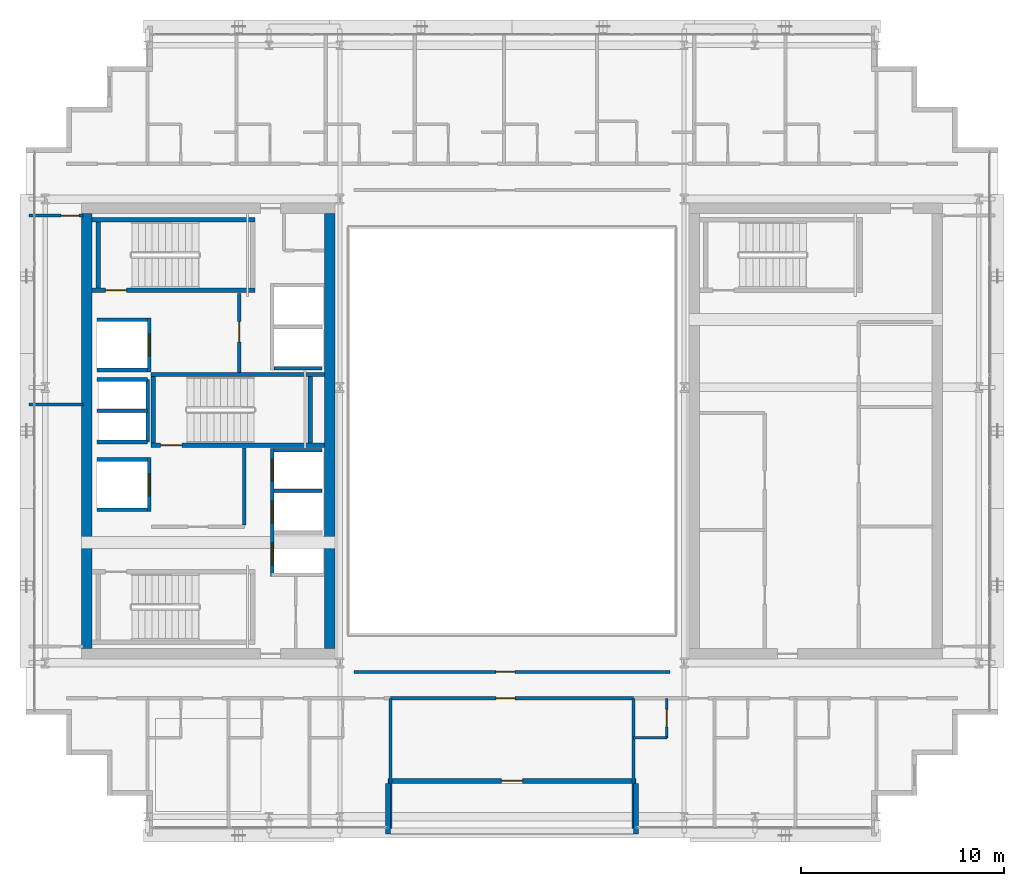
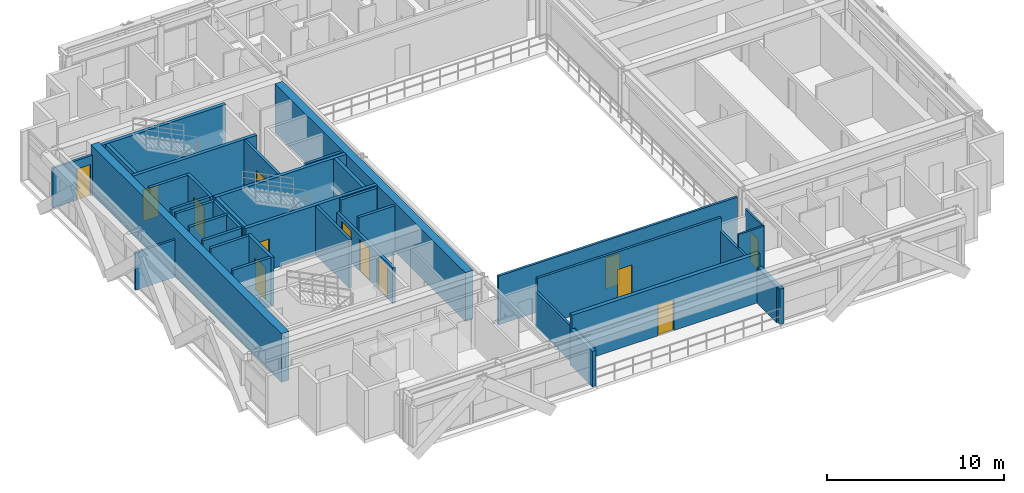
# One storey, part 24 of 32: 36 walls, 13 doors, 13 openings.
"""IFC4 building model written with IfcOpenShell, lengths in metres."""

from ifc_helpers import new_model, si_unit, direction, frame, frame_2d, origin, place, context, subcontext, project, spatial, rectangle, extrude, source, transform, mapped, material, layer, layer_set, type_object, element, fill, save


model = new_model("IFC4")

# Units and contexts
model_context = context("Model", 3, precision=1e-05, world=origin(), true_north=direction((0.0, 1.0)))
body_context = subcontext(model_context, "Body", "Model", "MODEL_VIEW")
ifc_project = project(units=[si_unit("LENGTHUNIT", "METRE"), si_unit("AREAUNIT", "SQUARE_METRE"), si_unit("VOLUMEUNIT", "CUBIC_METRE"), si_unit("PLANEANGLEUNIT", "RADIAN"), si_unit("MASSUNIT", "GRAM", prefix="KILO")], contexts=[model_context])

# Site, building, storey
site_placement = place(None, origin())
site = spatial("IfcSite", under=ifc_project, at=site_placement, CompositionType="ELEMENT")
building_placement = place(site_placement, origin())
building = spatial("IfcBuilding", under=site, at=building_placement, Name="Ocotamira Hotel", CompositionType="ELEMENT")
storey_placement = place(building_placement, frame((0.0, 0.0, 166.800048828125)))
storey = spatial("IfcBuildingStorey", under=building, at=storey_placement, Name="L41", CompositionType="ELEMENT", Elevation=166.800048828125)

# Walls
ifc_material_1 = material(Name="Concrete C50/60", Category="concrete")
ifc_layer_1 = layer(ifc_material_1, 0.5)
ifc_layer_set_1 = layer_set([ifc_layer_1], Name="Concrete C50/60")
wall_type_1 = type_object("IfcWallType", Name="WL-CORE-500", PredefinedType="SHEAR", material=ifc_layer_set_1)
for number, where, z_axis, x_axis, name in (
    (1, (11.0, 15.25, 0.0), (0.0, 0.0, 1.0), (0.0, 1.0, 0.0), "L41 Shear Core Wall WCORE-W"),
    (2, (23.0, 15.25, 0.0), (0.0, 0.0, 1.0), (0.0, 1.0, 0.0), "L41 Shear Core Wall WCORE-E"),
):
    element("IfcWall", number, at=place(storey_placement, frame(where, z_axis=z_axis, x_axis=x_axis)), inside=storey, type_object=wall_type_1, Name=name, PredefinedType="SHEAR", context=body_context, shape_type="SweptSolid", body=[
        extrude(rectangle(XDim=21.5, YDim=0.5, at=frame_2d((10.75, 0.0))), origin(), (0.0, 0.0, 1.0), 3.369873046875),
    ])

# Wall, opening, door
ifc_material_2 = material(Name="Precast concrete C45/55", Category="concrete")
ifc_layer_2 = layer(ifc_material_2, 0.25)
ifc_layer_set_2 = layer_set([ifc_layer_2], Name="Precast concrete C45/55")
wall_type_2 = type_object("IfcWallType", Name="WL-EXT-SER-250", PredefinedType="SOLIDWALL", material=ifc_layer_set_2)
wall_1_placement = place(storey_placement, frame((25.875, 8.72509765625, 0.0), z_axis=(0.0, 0.0, 1.0), x_axis=(1.0, 0.0, 0.0)))
wall_1 = element("IfcWall", 3, at=wall_1_placement, inside=storey, type_object=wall_type_2, Name="L41 Sky Terrace Back Wall 1", PredefinedType="SOLIDWALL", context=body_context, shape_type="SweptSolid", body=[
    extrude(rectangle(XDim=12.25, YDim=0.25, at=frame_2d((6.125, 0.0))), origin(), (0.0, 0.0, 1.0), 3.369873046875),
])
opening_1_placement = place(wall_1_placement, frame((5.60009765625, 0.0, 0.0)))
opening_1 = element("IfcOpeningElement", 4, at=opening_1_placement, cuts=wall_1, Name="Opening ED-3", PredefinedType="OPENING", context=body_context, shape_type="SweptSolid", body=[
    extrude(rectangle(XDim=1.050048828125, YDim=2.14990234375, at=frame_2d((0.52490234375, 1.074951171875))), frame((0.0, 0.135009765625, 0.0), z_axis=(0.0, -1.0, 0.0), x_axis=(1.0, 0.0, 0.0)), (0.0, 0.0, 1.0), 0.27001953125),
])
ifc_material_3 = material(Name="Thermally broken aluminium glazed door", Category="aluminium")
door_type_1 = type_object("IfcDoorType", Name="DR-TERR-1050", OperationType="NOTDEFINED", PredefinedType="DOOR", material=ifc_material_3)
shared_shape_1 = source(origin(), body_context, "Body", "SweptSolid", [
    extrude(rectangle(XDim=1.050048828125, YDim=2.14990234375, at=frame_2d((0.52490234375, 1.074951171875))), frame((0.0, 0.02490234375, 0.0), z_axis=(0.0, -1.0, 0.0), x_axis=(1.0, 0.0, 0.0)), (0.0, 0.0, 1.0), 0.050048828125),
])
door_1_placement = place(opening_1_placement, origin())
door_1 = element("IfcDoor", 5, at=door_1_placement, inside=storey, type_object=door_type_1, Name="L41 Sky Terrace Access Door 1 [ED-BAL-L41-1]", OperationType="SINGLE_SWING_LEFT", OverallHeight=2.14990234375, OverallWidth=1.050048828125, PredefinedType="DOOR", context=body_context, shape_type="MappedRepresentation", body=[
    mapped(shared_shape_1, transform((0.0, 0.0, 0.0), scale=1.0)),
])
fill(opening_1, door_1)

# Walls
for number, where, z_axis, x_axis, name in (
    (6, (25.875, 6.10009765625, 0.0), (0.0, 0.0, 1.0), (0.0, 1.0, 0.0), "L41 Sky Terrace Return Wall 1L"),
    (7, (38.125, 6.10009765625, 0.0), (0.0, 0.0, 1.0), (0.0, 1.0, 0.0), "L41 Sky Terrace Return Wall 1R"),
):
    element("IfcWall", number, at=place(storey_placement, frame(where, z_axis=z_axis, x_axis=x_axis)), inside=storey, type_object=wall_type_2, Name=name, PredefinedType="SOLIDWALL", context=body_context, shape_type="SweptSolid", body=[
        extrude(rectangle(XDim=2.5, YDim=0.25, at=frame_2d((1.25, 0.0))), origin(), (0.0, 0.0, 1.0), 2.44287109375),
    ])
ifc_material_4 = material(Name="Acoustic double-layer fire gypsum board partition", Category="gypsum")
ifc_layer_3 = layer(ifc_material_4, 0.159912109375)
ifc_layer_set_3 = layer_set([ifc_layer_3], Name="Acoustic double-layer fire gypsum board partition")
wall_type_3 = type_object("IfcWallType", Name="WL-FIRE-160", PredefinedType="PARTITIONING", material=ifc_layer_set_3)
wall_2_placement = place(storey_placement, frame((18.780029296875, 21.35009765625, 0.0), z_axis=(0.0, 0.0, 1.0), x_axis=(0.0, 1.0, 0.0)))
element("IfcWall", 8, at=wall_2_placement, inside=storey, type_object=wall_type_3, Name="L41 Interior Wall PW-L41-FSAE1-E", PredefinedType="PARTITIONING", context=body_context, shape_type="SweptSolid", body=[
    extrude(rectangle(XDim=3.809814453125, YDim=0.159912109375, at=frame_2d((1.90478515625, 0.0))), origin(), (0.0, 0.0, 1.0), 3.369873046875),
])

# Wall, opening, door
wall_3_placement = place(storey_placement, frame((18.530029296875, 28.89990234375, 0.0), z_axis=(0.0, 0.0, 1.0), x_axis=(0.0, 1.0, 0.0)))
wall_3 = element("IfcWall", 9, at=wall_3_placement, inside=storey, type_object=wall_type_3, Name="L41 Interior Wall PW-L41-FSAE2-E", PredefinedType="PARTITIONING", context=body_context, shape_type="SweptSolid", body=[
    extrude(rectangle(XDim=3.900146484375, YDim=0.159912109375, at=frame_2d((1.9501953125, 0.0))), origin(), (0.0, 0.0, 1.0), 3.369873046875),
])
opening_2_placement = place(wall_3_placement, frame((1.5, 0.0, 0.0)))
opening_2 = element("IfcOpeningElement", 10, at=opening_2_placement, cuts=wall_3, Name="Opening D-FR2", PredefinedType="OPENING", context=body_context, shape_type="SweptSolid", body=[
    extrude(rectangle(XDim=1.0, YDim=2.14990234375, at=frame_2d((0.5, 1.074951171875))), frame((0.0, 0.08984375, 0.0), z_axis=(0.0, -1.0, 0.0), x_axis=(1.0, 0.0, 0.0)), (0.0, 0.0, 1.0), 0.179931640625),
])
ifc_material_5 = material(Name="Fire-rated acoustic timber-veneer door", Category="wood")
door_type_2 = type_object("IfcDoorType", Name="DR-FIRE-1000", OperationType="NOTDEFINED", PredefinedType="DOOR", material=ifc_material_5)
shared_shape_2 = source(origin(), body_context, "Body", "SweptSolid", [
    extrude(rectangle(XDim=1.0, YDim=2.14990234375, at=frame_2d((0.5, 1.074951171875))), frame((0.0, 0.02490234375, 0.0), z_axis=(0.0, -1.0, 0.0), x_axis=(1.0, 0.0, 0.0)), (0.0, 0.0, 1.0), 0.050048828125),
])
door_2_placement = place(opening_2_placement, origin())
door_2 = element("IfcDoor", 11, at=door_2_placement, inside=storey, type_object=door_type_2, Name="L41 Door ID-L41-FSAE2-D [ID-L41-FSAE2-D]", OperationType="SINGLE_SWING_RIGHT", OverallHeight=2.14990234375, OverallWidth=1.0, PredefinedType="DOOR", context=body_context, shape_type="MappedRepresentation", body=[
    mapped(shared_shape_2, transform((0.0, 0.0, 0.0), scale=1.0)),
])
fill(opening_2, door_2)

wall_4_placement = place(storey_placement, frame((26.0, 12.800048828125, 0.0), z_axis=(0.0, 0.0, 1.0), x_axis=(1.0, 0.0, 0.0)))
wall_4 = element("IfcWall", 12, at=wall_4_placement, inside=storey, type_object=wall_type_3, Name="L41 Interior Wall PW-L41-Z3A-TSALN", PredefinedType="PARTITIONING", context=body_context, shape_type="SweptSolid", body=[
    extrude(rectangle(XDim=12.0, YDim=0.159912109375, at=frame_2d((6.0, 0.0))), origin(), (0.0, 0.0, 1.0), 3.369873046875),
])
opening_3_placement = place(wall_4_placement, frame((5.199951171875, 0.0, 0.0)))
opening_3 = element("IfcOpeningElement", 13, at=opening_3_placement, cuts=wall_4, Name="Opening D-SV4", PredefinedType="OPENING", context=body_context, shape_type="SweptSolid", body=[
    extrude(rectangle(XDim=0.9599609375, YDim=2.14990234375, at=frame_2d((0.47998046875, 1.074951171875))), frame((0.0, 0.08984375, 0.0), z_axis=(0.0, -1.0, 0.0), x_axis=(1.0, 0.0, 0.0)), (0.0, 0.0, 1.0), 0.179931640625),
])
ifc_material_6 = material(Name="Fire-rated accessible walnut salon door", Category="wood")
door_type_3 = type_object("IfcDoorType", Name="DR-SERV-960", OperationType="NOTDEFINED", PredefinedType="DOOR", material=ifc_material_6)
shared_shape_3 = source(origin(), body_context, "Body", "SweptSolid", [
    extrude(rectangle(XDim=0.9599609375, YDim=2.14990234375, at=frame_2d((0.47998046875, 1.074951171875))), frame((0.0, 0.02490234375, 0.0), z_axis=(0.0, -1.0, 0.0), x_axis=(1.0, 0.0, 0.0)), (0.0, 0.0, 1.0), 0.050048828125),
])
door_3_placement = place(opening_3_placement, origin())
door_3 = element("IfcDoor", 14, at=door_3_placement, inside=storey, type_object=door_type_3, Name="L41 Door ID-L41-Z3A-TSALD [ID-L41-Z3A-TSALD]", OperationType="SINGLE_SWING_LEFT", OverallHeight=2.14990234375, OverallWidth=0.9599609375, PredefinedType="DOOR", context=body_context, shape_type="MappedRepresentation", body=[
    mapped(shared_shape_3, transform((0.0, 0.0, 0.0), scale=1.0)),
])
fill(opening_3, door_3)

ifc_material_7 = material(Name="Moisture-resistant en-suite tile and gypsum partition", Category="gypsum")
ifc_layer_4 = layer(ifc_material_7, 0.1201171875)
ifc_layer_set_4 = layer_set([ifc_layer_4], Name="Moisture-resistant en-suite tile and gypsum partition")
wall_type_4 = type_object("IfcWallType", Name="WL-PART-120", PredefinedType="PARTITIONING", material=ifc_layer_set_4)
wall_5_placement = place(storey_placement, frame((39.64990234375, 10.85009765625, 0.0), z_axis=(0.0, 0.0, 1.0), x_axis=(0.0, 1.0, 0.0)))
wall_5 = element("IfcWall", 15, at=wall_5_placement, inside=storey, type_object=wall_type_4, Name="L41 Interior Wall PW-L41-Z3ASE-BAE1", PredefinedType="PARTITIONING", context=body_context, shape_type="SweptSolid", body=[
    extrude(rectangle(XDim=1.949951171875, YDim=0.1201171875, at=frame_2d((0.97509765625, 0.0))), origin(), (0.0, 0.0, 1.0), 3.369873046875),
])
opening_4_placement = place(wall_5_placement, frame((0.544921875, 0.0, 0.0)))
opening_4 = element("IfcOpeningElement", 16, at=opening_4_placement, cuts=wall_5, Name="Opening D-BA1", PredefinedType="OPENING", context=body_context, shape_type="SweptSolid", body=[
    extrude(rectangle(XDim=0.860107421875, YDim=2.10009765625, at=frame_2d((0.43017578125, 1.050048828125))), frame((0.0, 0.070068359375, 0.0), z_axis=(0.0, -1.0, 0.0), x_axis=(1.0, 0.0, 0.0)), (0.0, 0.0, 1.0), 0.14013671875),
])
ifc_material_8 = material(Name="Moisture-sealed en-suite timber door", Category="wood")
door_type_4 = type_object("IfcDoorType", Name="DR-BATH-860", OperationType="NOTDEFINED", PredefinedType="DOOR", material=ifc_material_8)
shared_shape_4 = source(origin(), body_context, "Body", "SweptSolid", [
    extrude(rectangle(XDim=0.860107421875, YDim=2.10009765625, at=frame_2d((0.43017578125, 1.050048828125))), frame((0.0, 0.02490234375, 0.0), z_axis=(0.0, -1.0, 0.0), x_axis=(1.0, 0.0, 0.0)), (0.0, 0.0, 1.0), 0.050048828125),
])
door_4_placement = place(opening_4_placement, origin())
door_4 = element("IfcDoor", 17, at=door_4_placement, inside=storey, type_object=door_type_4, Name="L41 Door ID-L41-Z3ASE-BAD1 [ID-L41-Z3ASE-BAD1]", OperationType="SINGLE_SWING_RIGHT", OverallHeight=2.10009765625, OverallWidth=0.860107421875, PredefinedType="DOOR", context=body_context, shape_type="MappedRepresentation", body=[
    mapped(shared_shape_4, transform((0.0, 0.0, 0.0), scale=1.0)),
])
fill(opening_4, door_4)

# Walls
wall_6_placement = place(storey_placement, frame((38.0, 10.85009765625, 0.0), z_axis=(0.0, 0.0, 1.0), x_axis=(1.0, 0.0, 0.0)))
element("IfcWall", 18, at=wall_6_placement, inside=storey, type_object=wall_type_4, Name="L41 Interior Wall PW-L41-Z3ASE-BAS1", PredefinedType="PARTITIONING", context=body_context, shape_type="SweptSolid", body=[
    extrude(rectangle(XDim=1.64990234375, YDim=0.1201171875, at=frame_2d((0.824951171875, 0.0))), origin(), (0.0, 0.0, 1.0), 3.369873046875),
])
ifc_material_9 = material(Name="Acoustic hospitality gypsum board partition", Category="gypsum")
ifc_layer_5 = layer(ifc_material_9, 0.14208984375)
ifc_layer_set_5 = layer_set([ifc_layer_5], Name="Acoustic hospitality gypsum board partition")
wall_type_5 = type_object("IfcWallType", Name="WL-PART-142", PredefinedType="PARTITIONING", material=ifc_layer_set_5)
wall_7_placement = place(storey_placement, frame((8.159912109375, 27.300048828125, 0.0), z_axis=(0.0, 0.0, 1.0), x_axis=(1.0, 0.0, 0.0)))
element("IfcWall", 19, at=wall_7_placement, inside=storey, type_object=wall_type_5, Name="L41 Interior Wall PW-L41-Z3A-WF-DV1", PredefinedType="PARTITIONING", context=body_context, shape_type="SweptSolid", body=[
    extrude(rectangle(XDim=2.66015625, YDim=0.14208984375, at=frame_2d((1.330078125, 0.0))), origin(), (0.0, 0.0, 1.0), 2.591064453125),
])

# Wall, opening, door
ifc_layer_6 = layer(ifc_material_9, 0.14990234375)
ifc_layer_set_6 = layer_set([ifc_layer_6], Name="Acoustic hospitality gypsum board partition")
wall_type_6 = type_object("IfcWallType", Name="WL-PART-150", PredefinedType="PARTITIONING", material=ifc_layer_set_6)
wall_8_placement = place(storey_placement, frame((24.199951171875, 14.10009765625, 0.0), z_axis=(0.0, 0.0, 1.0), x_axis=(1.0, 0.0, 0.0)))
wall_8 = element("IfcWall", 20, at=wall_8_placement, inside=storey, type_object=wall_type_6, Name="L41 Interior Wall PW-L41-Z3A-ATRSW", PredefinedType="PARTITIONING", context=body_context, shape_type="SweptSolid", body=[
    extrude(rectangle(XDim=15.60009765625, YDim=0.14990234375, at=frame_2d((7.800048828125, 0.0))), origin(), (0.0, 0.0, 1.0), 3.369873046875),
])
opening_5_placement = place(wall_8_placement, frame((7.0, 0.0, 0.0)))
opening_5 = element("IfcOpeningElement", 21, at=opening_5_placement, cuts=wall_8, Name="Opening D-SV4", PredefinedType="OPENING", context=body_context, shape_type="SweptSolid", body=[
    extrude(rectangle(XDim=0.9599609375, YDim=2.14990234375, at=frame_2d((0.47998046875, 1.074951171875))), frame((0.0, 0.0849609375, 0.0), z_axis=(0.0, -1.0, 0.0), x_axis=(1.0, 0.0, 0.0)), (0.0, 0.0, 1.0), 0.169921875),
])
door_5_placement = place(opening_5_placement, origin())
door_5 = element("IfcDoor", 22, at=door_5_placement, inside=storey, type_object=door_type_3, Name="L41 Door ID-L41-Z3A-ASD [ID-L41-Z3A-ASD]", OperationType="SINGLE_SWING_LEFT", OverallHeight=2.14990234375, OverallWidth=0.9599609375, PredefinedType="DOOR", context=body_context, shape_type="MappedRepresentation", body=[
    mapped(shared_shape_3, transform((0.0, 0.0, 0.0), scale=1.0)),
])
fill(opening_5, door_5)

wall_9_placement = place(storey_placement, frame((8.159912109375, 36.639892578125, 0.0), z_axis=(0.0, 0.0, 1.0), x_axis=(1.0, 0.0, 0.0)))
wall_9 = element("IfcWall", 23, at=wall_9_placement, inside=storey, type_object=wall_type_6, Name="L41 Interior Wall PW-L41-Z3A-WF-WN", PredefinedType="PARTITIONING", context=body_context, shape_type="SweptSolid", body=[
    extrude(rectangle(XDim=2.66015625, YDim=0.14990234375, at=frame_2d((1.330078125, 0.0))), origin(), (0.0, 0.0, 1.0), 2.7529296875),
])
opening_6_placement = place(wall_9_placement, frame((1.580078125, 0.0, 0.0)))
opening_6 = element("IfcOpeningElement", 24, at=opening_6_placement, cuts=wall_9, Name="Opening D-SV2", PredefinedType="OPENING", context=body_context, shape_type="SweptSolid", body=[
    extrude(rectangle(XDim=0.8798828125, YDim=2.14990234375, at=frame_2d((0.43994140625, 1.074951171875))), frame((0.0, 0.0849609375, 0.0), z_axis=(0.0, -1.0, 0.0), x_axis=(1.0, 0.0, 0.0)), (0.0, 0.0, 1.0), 0.169921875),
])
ifc_material_10 = material(Name="Fire-rated painted steel service door", Category="steel")
door_type_5 = type_object("IfcDoorType", Name="DR-SERV-880", OperationType="NOTDEFINED", PredefinedType="DOOR", material=ifc_material_10)
shared_shape_5 = source(origin(), body_context, "Body", "SweptSolid", [
    extrude(rectangle(XDim=0.8798828125, YDim=2.14990234375, at=frame_2d((0.43994140625, 1.074951171875))), frame((0.0, 0.02490234375, 0.0), z_axis=(0.0, -1.0, 0.0), x_axis=(1.0, 0.0, 0.0)), (0.0, 0.0, 1.0), 0.050048828125),
])
door_6_placement = place(opening_6_placement, origin())
door_6 = element("IfcDoor", 25, at=door_6_placement, inside=storey, type_object=door_type_5, Name="L41 Door ID-L41-Z3A-WF-DN [ID-L41-Z3A-WF-DN]", OperationType="SINGLE_SWING_RIGHT", OverallHeight=2.14990234375, OverallWidth=0.8798828125, PredefinedType="DOOR", context=body_context, shape_type="MappedRepresentation", body=[
    mapped(shared_shape_5, transform((0.0, 0.0, 0.0), scale=1.0)),
])
fill(opening_6, door_6)

# Walls
ifc_material_11 = material(Name="Acoustic double-stud hospitality gypsum partition", Category="gypsum")
ifc_layer_7 = layer(ifc_material_11, 0.159912109375)
ifc_layer_set_7 = layer_set([ifc_layer_7], Name="Acoustic double-stud hospitality gypsum partition")
wall_type_7 = type_object("IfcWallType", Name="WL-PART-160", PredefinedType="PARTITIONING", material=ifc_layer_set_7)
for number, where, z_axis, x_axis, name in (
    (26, (26.0, 6.360107421875, 0.0), (0.0, 0.0, 1.0), (0.0, 1.0, 0.0), "L41 Interior Wall PW-L41-Z3ASW-PWEND"),
    (27, (38.0, 6.360107421875, 0.0), (0.0, 0.0, 1.0), (0.0, 1.0, 0.0), "L41 Interior Wall PW-L41-Z3ASE-PW0"),
):
    element("IfcWall", number, at=place(storey_placement, frame(where, z_axis=z_axis, x_axis=x_axis)), inside=storey, type_object=wall_type_7, Name=name, PredefinedType="PARTITIONING", context=body_context, shape_type="SweptSolid", body=[
        extrude(rectangle(XDim=6.43994140625, YDim=0.159912109375, at=frame_2d((3.219970703125, 0.0))), origin(), (0.0, 0.0, 1.0), 2.44287109375),
    ])

# Wall, openings, doors
ifc_material_12 = material(Name="Fire-rated gypsum shaftliner board assembly", Category="gypsum")
ifc_layer_8 = layer(ifc_material_12, 0.179931640625)
ifc_layer_set_8 = layer_set([ifc_layer_8], Name="Fire-rated gypsum shaftliner board assembly")
wall_type_8 = type_object("IfcWallType", Name="WL-SHAFT-180", PredefinedType="SOLIDWALL", material=ifc_layer_set_8)
wall_10_placement = place(storey_placement, frame((20.159912109375, 18.820068359375, 0.0), z_axis=(0.0, 0.0, 1.0), x_axis=(0.0, 1.0, 0.0)))
wall_10 = element("IfcWall", 28, at=wall_10_placement, inside=storey, type_object=wall_type_8, Name="L41 Interior Wall PW-L41-LFW-BANK-high-F", PredefinedType="SOLIDWALL", context=body_context, shape_type="SweptSolid", body=[
    extrude(rectangle(XDim=6.31982421875, YDim=0.179931640625, at=frame_2d((3.159912109375, 0.0))), origin(), (0.0, 0.0, 1.0), 2.469970703125),
])
opening_7_placement = place(wall_10_placement, frame((0.554931640625, 0.0, 0.0)))
opening_7 = element("IfcOpeningElement", 29, at=opening_7_placement, cuts=wall_10, Name="Opening LD-LF-P7", PredefinedType="OPENING", context=body_context, shape_type="SweptSolid", body=[
    extrude(rectangle(XDim=1.10009765625, YDim=2.199951171875, at=frame_2d((0.550048828125, 1.10009765625))), frame((0.0, 0.10009765625, 0.0), z_axis=(0.0, -1.0, 0.0), x_axis=(1.0, 0.0, 0.0)), (0.0, 0.0, 1.0), 0.199951171875),
])
opening_8_placement = place(wall_10_placement, frame((2.635009765625, 0.0, 0.0)))
opening_8 = element("IfcOpeningElement", 30, at=opening_8_placement, cuts=wall_10, Name="Opening LD-LF-P8", PredefinedType="OPENING", context=body_context, shape_type="SweptSolid", body=[
    extrude(rectangle(XDim=1.10009765625, YDim=2.199951171875, at=frame_2d((0.550048828125, 1.10009765625))), frame((0.0, 0.10009765625, 0.0), z_axis=(0.0, -1.0, 0.0), x_axis=(1.0, 0.0, 0.0)), (0.0, 0.0, 1.0), 0.199951171875),
])
opening_9_placement = place(wall_10_placement, frame((4.68994140625, 0.0, 0.0)))
opening_9 = element("IfcOpeningElement", 31, at=opening_9_placement, cuts=wall_10, Name="Opening LD-LF-P9", PredefinedType="OPENING", context=body_context, shape_type="SweptSolid", body=[
    extrude(rectangle(XDim=1.10009765625, YDim=2.199951171875, at=frame_2d((0.550048828125, 1.10009765625))), frame((0.0, 0.10009765625, 0.0), z_axis=(0.0, -1.0, 0.0), x_axis=(1.0, 0.0, 0.0)), (0.0, 0.0, 1.0), 0.199951171875),
])
ifc_material_13 = material(Name="Brushed pale-metal stainless elevator landing door", Category="steel")
door_type_6 = type_object("IfcDoorType", Name="DR-LIFT-1100", OperationType="NOTDEFINED", PredefinedType="DOOR", material=ifc_material_13)
shared_shape_6 = source(origin(), body_context, "Body", "SweptSolid", [
    extrude(rectangle(XDim=1.10009765625, YDim=2.199951171875, at=frame_2d((0.550048828125, 1.10009765625))), frame((0.0, 0.02490234375, 0.0), z_axis=(0.0, -1.0, 0.0), x_axis=(1.0, 0.0, 0.0)), (0.0, 0.0, 1.0), 0.050048828125),
])
door_7_placement = place(opening_7_placement, origin())
door_7 = element("IfcDoor", 32, at=door_7_placement, inside=storey, type_object=door_type_6, Name="L41 Landing Door LD-LF-P7 [ID-L41-LD-LF-P7]", OperationType="DOUBLE_DOOR_SLIDING", OverallHeight=2.199951171875, OverallWidth=1.10009765625, PredefinedType="DOOR", context=body_context, shape_type="MappedRepresentation", body=[
    mapped(shared_shape_6, transform((0.0, 0.0, 0.0), scale=1.0)),
])
fill(opening_7, door_7)
door_8_placement = place(opening_8_placement, origin())
door_8 = element("IfcDoor", 33, at=door_8_placement, inside=storey, type_object=door_type_6, Name="L41 Landing Door LD-LF-P8 [ID-L41-LD-LF-P8]", OperationType="DOUBLE_DOOR_SLIDING", OverallHeight=2.199951171875, OverallWidth=1.10009765625, PredefinedType="DOOR", context=body_context, shape_type="MappedRepresentation", body=[
    mapped(shared_shape_6, transform((0.0, 0.0, 0.0), scale=1.0)),
])
fill(opening_8, door_8)
door_9_placement = place(opening_9_placement, origin())
door_9 = element("IfcDoor", 34, at=door_9_placement, inside=storey, type_object=door_type_6, Name="L41 Landing Door LD-LF-P9 [ID-L41-LD-LF-P9]", OperationType="DOUBLE_DOOR_SLIDING", OverallHeight=2.199951171875, OverallWidth=1.10009765625, PredefinedType="DOOR", context=body_context, shape_type="MappedRepresentation", body=[
    mapped(shared_shape_6, transform((0.0, 0.0, 0.0), scale=1.0)),
])
fill(opening_9, door_9)

# Walls
for number, where, z_axis, x_axis, name in (
    (35, (20.25, 25.050048828125, 0.0), (0.0, 0.0, 1.0), (1.0, 0.0, 0.0), "L41 Interior Wall PW-L41-LFW-BANK-high-N"),
    (36, (20.25, 23.044921875, 0.0), (0.0, 0.0, 1.0), (1.0, 0.0, 0.0), "L41 Interior Wall PW-L41-LFW-DIV-LF-P8"),
    (37, (20.25, 29.090087890625, 0.0), (0.0, 0.0, 1.0), (1.0, 0.0, 0.0), "L41 Interior Wall PW-L41-LFW-BANK-obs-S"),
):
    element("IfcWall", number, at=place(storey_placement, frame(where, z_axis=z_axis, x_axis=x_axis)), inside=storey, type_object=wall_type_8, Name=name, PredefinedType="SOLIDWALL", context=body_context, shape_type="SweptSolid", body=[
        extrude(rectangle(XDim=2.360107421875, YDim=0.179931640625, at=frame_2d((1.18017578125, 0.0))), origin(), (0.0, 0.0, 1.0), 3.369873046875),
    ])
for number, where, z_axis, x_axis, name in (
    (38, (11.5, 22.110107421875, 0.0), (0.0, 0.0, 1.0), (1.0, 0.0, 0.0), "L41 Interior Wall PW-L41-LFW-LF-FSAE1-S"),
    (39, (11.5, 24.590087890625, 0.0), (0.0, 0.0, 1.0), (1.0, 0.0, 0.0), "L41 Interior Wall PW-L41-LFW-LF-FSAE1-N"),
):
    element("IfcWall", number, at=place(storey_placement, frame(where, z_axis=z_axis, x_axis=x_axis)), inside=storey, type_object=wall_type_8, Name=name, PredefinedType="SOLIDWALL", context=body_context, shape_type="SweptSolid", body=[
        extrude(rectangle(XDim=2.5, YDim=0.179931640625, at=frame_2d((1.25, 0.0))), origin(), (0.0, 0.0, 1.0), 3.369873046875),
    ])

# Wall, opening, door
wall_11_placement = place(storey_placement, frame((14.090087890625, 22.02001953125, 0.0), z_axis=(0.0, 0.0, 1.0), x_axis=(0.0, 1.0, 0.0)))
wall_11 = element("IfcWall", 40, at=wall_11_placement, inside=storey, type_object=wall_type_8, Name="L41 Interior Wall PW-L41-LFW-LF-FSAE1-E", PredefinedType="SOLIDWALL", context=body_context, shape_type="SweptSolid", body=[
    extrude(rectangle(XDim=2.659912109375, YDim=0.179931640625, at=frame_2d((1.330078125, 0.0))), origin(), (0.0, 0.0, 1.0), 3.369873046875),
])
opening_10_placement = place(wall_11_placement, frame((0.780029296875, 0.0, 0.0)))
opening_10 = element("IfcOpeningElement", 41, at=opening_10_placement, cuts=wall_11, Name="Opening LD-LF-FSAE1", PredefinedType="OPENING", context=body_context, shape_type="SweptSolid", body=[
    extrude(rectangle(XDim=1.10009765625, YDim=2.199951171875, at=frame_2d((0.550048828125, 1.10009765625))), frame((0.0, 0.10009765625, 0.0), z_axis=(0.0, -1.0, 0.0), x_axis=(1.0, 0.0, 0.0)), (0.0, 0.0, 1.0), 0.199951171875),
])
door_10_placement = place(opening_10_placement, origin())
door_10 = element("IfcDoor", 42, at=door_10_placement, inside=storey, type_object=door_type_6, Name="L41 Landing Door LD-LF-FSAE1 [ID-L41-LD-LF-FSAE1]", OperationType="DOUBLE_DOOR_SLIDING", OverallHeight=2.199951171875, OverallWidth=1.10009765625, PredefinedType="DOOR", context=body_context, shape_type="MappedRepresentation", body=[
    mapped(shared_shape_6, transform((0.0, 0.0, 0.0), scale=1.0)),
])
fill(opening_10, door_10)

# Walls
for number, where, z_axis, x_axis, name in (
    (43, (11.5, 29.010009765625, 0.0), (0.0, 0.0, 1.0), (1.0, 0.0, 0.0), "L41 Interior Wall PW-L41-LFW-LF-FSAE2-S"),
    (44, (11.5, 31.489990234375, 0.0), (0.0, 0.0, 1.0), (1.0, 0.0, 0.0), "L41 Interior Wall PW-L41-LFW-LF-FSAE2-N"),
):
    element("IfcWall", number, at=place(storey_placement, frame(where, z_axis=z_axis, x_axis=x_axis)), inside=storey, type_object=wall_type_8, Name=name, PredefinedType="SOLIDWALL", context=body_context, shape_type="SweptSolid", body=[
        extrude(rectangle(XDim=2.5, YDim=0.179931640625, at=frame_2d((1.25, 0.0))), origin(), (0.0, 0.0, 1.0), 3.369873046875),
    ])

# Wall, opening, door
wall_12_placement = place(storey_placement, frame((14.090087890625, 28.919921875, 0.0), z_axis=(0.0, 0.0, 1.0), x_axis=(0.0, 1.0, 0.0)))
wall_12 = element("IfcWall", 45, at=wall_12_placement, inside=storey, type_object=wall_type_8, Name="L41 Interior Wall PW-L41-LFW-LF-FSAE2-E", PredefinedType="SOLIDWALL", context=body_context, shape_type="SweptSolid", body=[
    extrude(rectangle(XDim=2.66015625, YDim=0.179931640625, at=frame_2d((1.330078125, 0.0))), origin(), (0.0, 0.0, 1.0), 3.369873046875),
])
opening_11_placement = place(wall_12_placement, frame((0.780029296875, 0.0, 0.0)))
opening_11 = element("IfcOpeningElement", 46, at=opening_11_placement, cuts=wall_12, Name="Opening LD-LF-FSAE2", PredefinedType="OPENING", context=body_context, shape_type="SweptSolid", body=[
    extrude(rectangle(XDim=1.10009765625, YDim=2.199951171875, at=frame_2d((0.550048828125, 1.10009765625))), frame((0.0, 0.10009765625, 0.0), z_axis=(0.0, -1.0, 0.0), x_axis=(1.0, 0.0, 0.0)), (0.0, 0.0, 1.0), 0.199951171875),
])
door_11_placement = place(opening_11_placement, origin())
door_11 = element("IfcDoor", 47, at=door_11_placement, inside=storey, type_object=door_type_6, Name="L41 Landing Door LD-LF-FSAE2 [ID-L41-LD-LF-FSAE2]", OperationType="DOUBLE_DOOR_SLIDING", OverallHeight=2.199951171875, OverallWidth=1.10009765625, PredefinedType="DOOR", context=body_context, shape_type="MappedRepresentation", body=[
    mapped(shared_shape_6, transform((0.0, 0.0, 0.0), scale=1.0)),
])
fill(opening_11, door_11)

# Walls
for number, where, z_axis, x_axis, name in (
    (48, (11.5, 25.4599609375, 0.0), (0.0, 0.0, 1.0), (1.0, 0.0, 0.0), "L41 Interior Wall PW-L41-RSW-S"),
    (49, (11.5, 27.0, 0.0), (0.0, 0.0, 1.0), (1.0, 0.0, 0.0), "L41 Interior Wall PW-L41-RSW-MID"),
    (50, (11.5, 28.5400390625, 0.0), (0.0, 0.0, 1.0), (1.0, 0.0, 0.0), "L41 Interior Wall PW-L41-RSW-N"),
):
    element("IfcWall", number, at=place(storey_placement, frame(where, z_axis=z_axis, x_axis=x_axis)), inside=storey, type_object=wall_type_8, Name=name, PredefinedType="SOLIDWALL", context=body_context, shape_type="SweptSolid", body=[
        extrude(rectangle(XDim=2.510009765625, YDim=0.179931640625, at=frame_2d((1.2548828125, 0.0))), origin(), (0.0, 0.0, 1.0), 3.369873046875),
    ])
wall_13_placement = place(storey_placement, frame((14.010009765625, 25.4599609375, 0.0), z_axis=(0.0, 0.0, 1.0), x_axis=(0.0, 1.0, 0.0)))
element("IfcWall", 51, at=wall_13_placement, inside=storey, type_object=wall_type_8, Name="L41 Interior Wall PW-L41-RSW-E", PredefinedType="SOLIDWALL", context=body_context, shape_type="SweptSolid", body=[
    extrude(rectangle(XDim=3.080078125, YDim=0.179931640625, at=frame_2d((1.5400390625, 0.0))), origin(), (0.0, 0.0, 1.0), 3.369873046875),
])

# Wall, opening, door
ifc_layer_9 = layer(ifc_material_1, 0.219970703125)
ifc_layer_set_9 = layer_set([ifc_layer_9], Name="Concrete C50/60")
wall_type_9 = type_object("IfcWallType", Name="WL-STAIR-220", PredefinedType="SHEAR", material=ifc_layer_set_9)
wall_14_placement = place(storey_placement, frame((11.25, 32.93994140625, 0.0), z_axis=(0.0, 0.0, 1.0), x_axis=(1.0, 0.0, 0.0)))
wall_14 = element("IfcWall", 52, at=wall_14_placement, inside=storey, type_object=wall_type_9, Name="L41 Stair Shaft Structural Wall ST-2-S", PredefinedType="SHEAR", context=body_context, shape_type="SweptSolid", body=[
    extrude(rectangle(XDim=8.06005859375, YDim=0.219970703125, at=frame_2d((4.030029296875, 0.0))), origin(), (0.0, 0.0, 1.0), 3.39990234375),
])
opening_12_placement = place(wall_14_placement, frame((0.669921875, 0.0, 0.0)))
opening_12 = element("IfcOpeningElement", 53, at=opening_12_placement, cuts=wall_14, Name="Opening D-ST2", PredefinedType="OPENING", context=body_context, shape_type="SweptSolid", body=[
    extrude(rectangle(XDim=1.050048828125, YDim=2.14990234375, at=frame_2d((0.52490234375, 1.074951171875))), frame((0.0, 0.1201171875, 0.0), z_axis=(0.0, -1.0, 0.0), x_axis=(1.0, 0.0, 0.0)), (0.0, 0.0, 1.0), 0.239990234375),
])
ifc_material_14 = material(Name="Insulated painted hollow-metal fire exit door", Category="steel")
door_type_7 = type_object("IfcDoorType", Name="DR-STAIR-1050", OperationType="NOTDEFINED", PredefinedType="DOOR", material=ifc_material_14)
door_12_placement = place(opening_12_placement, origin())
door_12 = element("IfcDoor", 54, at=door_12_placement, inside=storey, type_object=door_type_7, Name="L41 Door ID-L41-STD-ST-2 [ID-L41-STD-ST-2]", OperationType="SINGLE_SWING_LEFT", OverallHeight=2.14990234375, OverallWidth=1.050048828125, PredefinedType="DOOR", context=body_context, shape_type="MappedRepresentation", body=[
    mapped(shared_shape_1, transform((0.0, 0.0, 0.0), scale=1.0)),
])
fill(opening_12, door_12)

# Walls
wall_15_placement = place(storey_placement, frame((11.25, 36.43994140625, 0.0), z_axis=(0.0, 0.0, 1.0), x_axis=(1.0, 0.0, 0.0)))
element("IfcWall", 55, at=wall_15_placement, inside=storey, type_object=wall_type_9, Name="L41 Stair Shaft Structural Wall ST-2-N", PredefinedType="SHEAR", context=body_context, shape_type="SweptSolid", body=[
    extrude(rectangle(XDim=8.06005859375, YDim=0.219970703125, at=frame_2d((4.030029296875, 0.0))), origin(), (0.0, 0.0, 1.0), 3.39990234375),
])
wall_16_placement = place(storey_placement, frame((11.56005859375, 33.050048828125, 0.0), z_axis=(0.0, 0.0, 1.0), x_axis=(0.0, 1.0, 0.0)))
element("IfcWall", 56, at=wall_16_placement, inside=storey, type_object=wall_type_9, Name="L41 Stair Shaft Structural Wall ST-2-W", PredefinedType="SHEAR", context=body_context, shape_type="SweptSolid", body=[
    extrude(rectangle(XDim=3.280029296875, YDim=0.219970703125, at=frame_2d((1.64013671875, 0.0))), origin(), (0.0, 0.0, 1.0), 3.39990234375),
])

# Wall, opening, door
wall_17_placement = place(storey_placement, frame((14.179931640625, 25.2900390625, 0.0), z_axis=(0.0, 0.0, 1.0), x_axis=(1.0, 0.0, 0.0)))
wall_17 = element("IfcWall", 57, at=wall_17_placement, inside=storey, type_object=wall_type_9, Name="L41 Stair Shaft Structural Wall ST-3-S", PredefinedType="SHEAR", context=body_context, shape_type="SweptSolid", body=[
    extrude(rectangle(XDim=8.570068359375, YDim=0.219970703125, at=frame_2d((4.28515625, 0.0))), origin(), (0.0, 0.0, 1.0), 3.39990234375),
])
opening_13_placement = place(wall_17_placement, frame((0.469970703125, 0.0, 0.0)))
opening_13 = element("IfcOpeningElement", 58, at=opening_13_placement, cuts=wall_17, Name="Opening D-ST2", PredefinedType="OPENING", context=body_context, shape_type="SweptSolid", body=[
    extrude(rectangle(XDim=1.050048828125, YDim=2.14990234375, at=frame_2d((0.52490234375, 1.074951171875))), frame((0.0, 0.1201171875, 0.0), z_axis=(0.0, -1.0, 0.0), x_axis=(1.0, 0.0, 0.0)), (0.0, 0.0, 1.0), 0.239990234375),
])
door_13_placement = place(opening_13_placement, origin())
door_13 = element("IfcDoor", 59, at=door_13_placement, inside=storey, type_object=door_type_7, Name="L41 Door ID-L41-STD-ST-3 [ID-L41-STD-ST-3]", OperationType="SINGLE_SWING_RIGHT", OverallHeight=2.14990234375, OverallWidth=1.050048828125, PredefinedType="DOOR", context=body_context, shape_type="MappedRepresentation", body=[
    mapped(shared_shape_1, transform((0.0, 0.0, 0.0), scale=1.0)),
])
fill(opening_13, door_13)

# Walls
wall_18_placement = place(storey_placement, frame((14.179931640625, 28.7900390625, 0.0), z_axis=(0.0, 0.0, 1.0), x_axis=(1.0, 0.0, 0.0)))
element("IfcWall", 60, at=wall_18_placement, inside=storey, type_object=wall_type_9, Name="L41 Stair Shaft Structural Wall ST-3-N", PredefinedType="SHEAR", context=body_context, shape_type="SweptSolid", body=[
    extrude(rectangle(XDim=8.570068359375, YDim=0.219970703125, at=frame_2d((4.28515625, 0.0))), origin(), (0.0, 0.0, 1.0), 3.39990234375),
])
for number, where, z_axis, x_axis, name in (
    (61, (14.2900390625, 25.39990234375, 0.0), (0.0, 0.0, 1.0), (0.0, 1.0, 0.0), "L41 Stair Shaft Structural Wall ST-3-W"),
    (62, (22.030029296875, 25.39990234375, 0.0), (0.0, 0.0, 1.0), (0.0, 1.0, 0.0), "L41 Stair Shaft Structural Wall ST-3-E"),
):
    element("IfcWall", number, at=place(storey_placement, frame(where, z_axis=z_axis, x_axis=x_axis)), inside=storey, type_object=wall_type_9, Name=name, PredefinedType="SHEAR", context=body_context, shape_type="SweptSolid", body=[
        extrude(rectangle(XDim=3.280029296875, YDim=0.219970703125, at=frame_2d((1.64013671875, 0.0))), origin(), (0.0, 0.0, 1.0), 3.39990234375),
    ])

save(model, "model.ifc")
